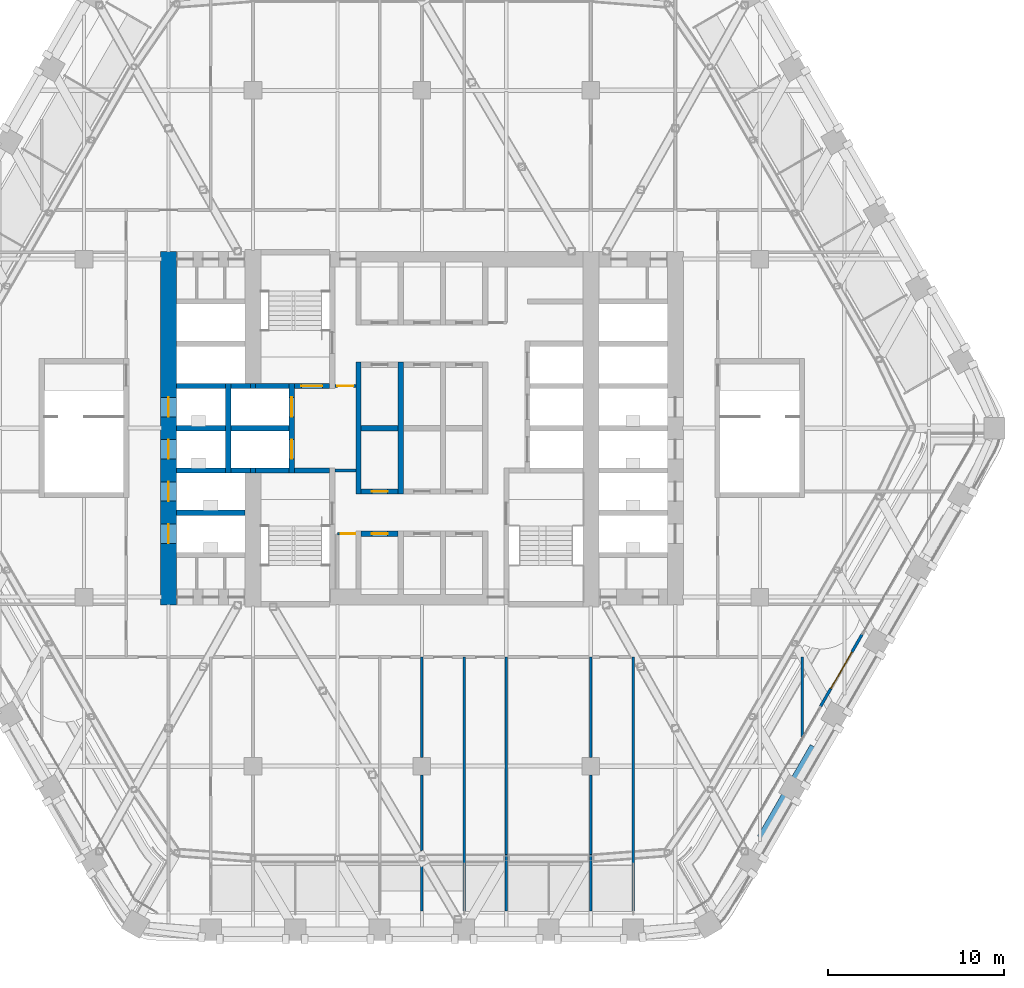
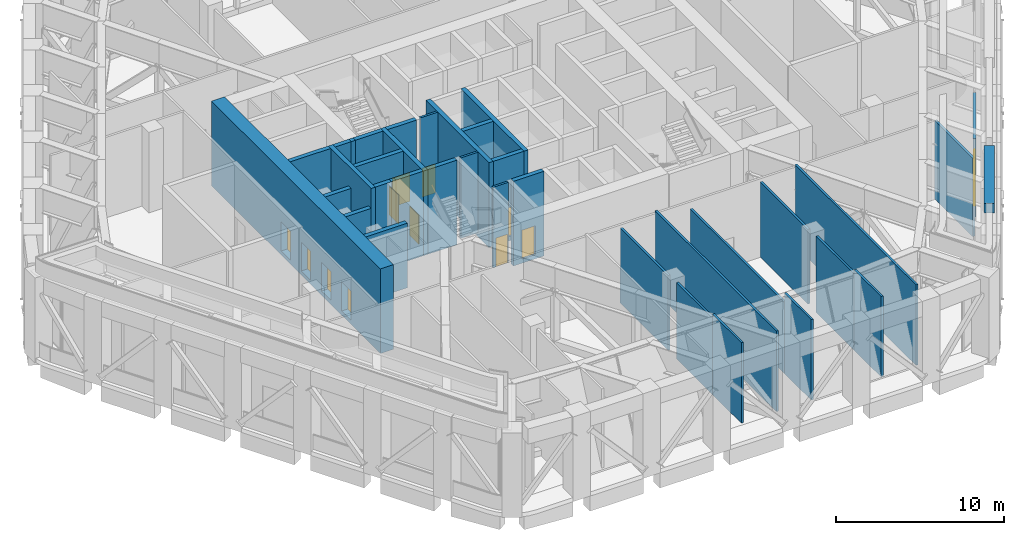
# One storey, part 16 of 27: 37 walls, 12 doors, 12 openings.
"""IFC4 building model written with IfcOpenShell, lengths in metres."""

from ifc_helpers import new_model, si_unit, direction, frame, frame_2d, origin, place, context, subcontext, project, spatial, rectangle, extrude, material, layer, layer_set, type_object, element, fill, save


model = new_model("IFC4")

# Units and contexts
model_context = context("Model", 3, precision=1e-05, world=origin(), true_north=direction((0.0, 1.0)))
body_context = subcontext(model_context, "Body", "Model", "MODEL_VIEW")
ifc_project = project(units=[si_unit("LENGTHUNIT", "METRE"), si_unit("AREAUNIT", "SQUARE_METRE"), si_unit("VOLUMEUNIT", "CUBIC_METRE"), si_unit("PLANEANGLEUNIT", "RADIAN"), si_unit("MASSUNIT", "GRAM", prefix="KILO")], contexts=[model_context])

# Site, building, storey
site_placement = place(None, origin())
site = spatial("IfcSite", under=ifc_project, at=site_placement, CompositionType="ELEMENT")
building_placement = place(site_placement, origin())
building = spatial("IfcBuilding", under=site, at=building_placement, Name="Kolab Exchange Tower", CompositionType="ELEMENT")
storey_placement = place(building_placement, frame((0.0, 0.0, 127.39990234375)))
storey = spatial("IfcBuildingStorey", under=building, at=storey_placement, Name="L25", CompositionType="ELEMENT", Elevation=127.39990234375)

# Wall, openings, doors
ifc_material_1 = material(Name="Concrete C70/85", Category="concrete")
ifc_layer_1 = layer(ifc_material_1, 0.89990234375)
ifc_layer_set_1 = layer_set([ifc_layer_1], Name="Concrete C70/85")
wall_type_1 = type_object("IfcWallType", Name="CORE WALL 900 C70/85", PredefinedType="SHEAR", material=ifc_layer_set_1)
wall_1_placement = place(storey_placement, frame((-14.39990234375, -10.050048828125, -0.2998046875), z_axis=(0.0, 0.0, 1.0), x_axis=(0.0, 1.0, 0.0)))
wall_1 = element("IfcWall", 1, at=wall_1_placement, inside=storey, type_object=wall_type_1, Name="wall/L25/core/057", PredefinedType="SHEAR", context=body_context, shape_type="SweptSolid", body=[
    extrude(rectangle(XDim=20.10009765625, YDim=0.89990234375, at=frame_2d((10.050048828125, 0.0))), origin(), (0.0, 0.0, 1.0), 6.14990234375),
])
opening_1_placement = place(wall_1_placement, frame((3.5, 0.0, 0.300048828125)))
opening_1 = element("IfcOpeningElement", 2, at=opening_1_placement, cuts=wall_1, Name="Opening LD1-089", PredefinedType="OPENING", context=body_context, shape_type="SweptSolid", body=[
    extrude(rectangle(XDim=1.10009765625, YDim=2.10009765625, at=frame_2d((0.550048828125, 1.050048828125))), frame((0.0, 0.4599609375, 0.0), z_axis=(0.0, -1.0, 0.0), x_axis=(1.0, 0.0, 0.0)), (0.0, 0.0, 1.0), 0.919921875),
])
opening_2_placement = place(wall_1_placement, frame((5.89990234375, 0.0, 0.300048828125)))
opening_2 = element("IfcOpeningElement", 3, at=opening_2_placement, cuts=wall_1, Name="Opening LD1-090", PredefinedType="OPENING", context=body_context, shape_type="SweptSolid", body=[
    extrude(rectangle(XDim=1.10009765625, YDim=2.10009765625, at=frame_2d((0.550048828125, 1.050048828125))), frame((0.0, 0.4599609375, 0.0), z_axis=(0.0, -1.0, 0.0), x_axis=(1.0, 0.0, 0.0)), (0.0, 0.0, 1.0), 0.919921875),
])
opening_3_placement = place(wall_1_placement, frame((8.300048828125, 0.0, 0.300048828125)))
opening_3 = element("IfcOpeningElement", 4, at=opening_3_placement, cuts=wall_1, Name="Opening LD1-091", PredefinedType="OPENING", context=body_context, shape_type="SweptSolid", body=[
    extrude(rectangle(XDim=1.10009765625, YDim=2.10009765625, at=frame_2d((0.550048828125, 1.050048828125))), frame((0.0, 0.4599609375, 0.0), z_axis=(0.0, -1.0, 0.0), x_axis=(1.0, 0.0, 0.0)), (0.0, 0.0, 1.0), 0.919921875),
])
opening_4_placement = place(wall_1_placement, frame((10.699951171875, 0.0, 0.300048828125)))
opening_4 = element("IfcOpeningElement", 5, at=opening_4_placement, cuts=wall_1, Name="Opening LD1-092", PredefinedType="OPENING", context=body_context, shape_type="SweptSolid", body=[
    extrude(rectangle(XDim=1.10009765625, YDim=2.10009765625, at=frame_2d((0.550048828125, 1.050048828125))), frame((0.0, 0.4599609375, 0.0), z_axis=(0.0, -1.0, 0.0), x_axis=(1.0, 0.0, 0.0)), (0.0, 0.0, 1.0), 0.919921875),
])
ifc_material_2 = material(Name="Stainless steel 316", Category="steel")
door_type_1 = type_object("IfcDoorType", Name="LANDING DOOR 1100 PASSENGER", OperationType="DOUBLE_DOOR_SLIDING", PredefinedType="DOOR", material=ifc_material_2)
door_1_placement = place(opening_1_placement, origin())
door_1 = element("IfcDoor", 6, at=door_1_placement, inside=storey, type_object=door_type_1, Name="Landing door LR5", OperationType="DOUBLE_DOOR_SLIDING", OverallHeight=2.10009765625, OverallWidth=1.10009765625, PredefinedType="DOOR", context=body_context, shape_type="SweptSolid", body=[
    extrude(rectangle(XDim=1.10009765625, YDim=2.10009765625, at=frame_2d((0.550048828125, 1.050048828125))), frame((0.0, 0.02490234375, 0.0), z_axis=(0.0, -1.0, 0.0), x_axis=(1.0, 0.0, 0.0)), (0.0, 0.0, 1.0), 0.050048828125),
])
fill(opening_1, door_1)
door_2_placement = place(opening_2_placement, origin())
door_2 = element("IfcDoor", 7, at=door_2_placement, inside=storey, type_object=door_type_1, Name="Landing door LR6", OperationType="DOUBLE_DOOR_SLIDING", OverallHeight=2.10009765625, OverallWidth=1.10009765625, PredefinedType="DOOR", context=body_context, shape_type="SweptSolid", body=[
    extrude(rectangle(XDim=1.10009765625, YDim=2.10009765625, at=frame_2d((0.550048828125, 1.050048828125))), frame((0.0, 0.02490234375, 0.0), z_axis=(0.0, -1.0, 0.0), x_axis=(1.0, 0.0, 0.0)), (0.0, 0.0, 1.0), 0.050048828125),
])
fill(opening_2, door_2)
door_3_placement = place(opening_3_placement, origin())
door_3 = element("IfcDoor", 8, at=door_3_placement, inside=storey, type_object=door_type_1, Name="Landing door LR7", OperationType="DOUBLE_DOOR_SLIDING", OverallHeight=2.10009765625, OverallWidth=1.10009765625, PredefinedType="DOOR", context=body_context, shape_type="SweptSolid", body=[
    extrude(rectangle(XDim=1.10009765625, YDim=2.10009765625, at=frame_2d((0.550048828125, 1.050048828125))), frame((0.0, 0.02490234375, 0.0), z_axis=(0.0, -1.0, 0.0), x_axis=(1.0, 0.0, 0.0)), (0.0, 0.0, 1.0), 0.050048828125),
])
fill(opening_3, door_3)
door_4_placement = place(opening_4_placement, origin())
door_4 = element("IfcDoor", 9, at=door_4_placement, inside=storey, type_object=door_type_1, Name="Landing door LR8", OperationType="DOUBLE_DOOR_SLIDING", OverallHeight=2.10009765625, OverallWidth=1.10009765625, PredefinedType="DOOR", context=body_context, shape_type="SweptSolid", body=[
    extrude(rectangle(XDim=1.10009765625, YDim=2.10009765625, at=frame_2d((0.550048828125, 1.050048828125))), frame((0.0, 0.02490234375, 0.0), z_axis=(0.0, -1.0, 0.0), x_axis=(1.0, 0.0, 0.0)), (0.0, 0.0, 1.0), 0.050048828125),
])
fill(opening_4, door_4)

# Wall, opening, door
ifc_material_3 = material(Name="Aluminium EN AW-6063 T6", Category="aluminium")
ifc_layer_2 = layer(ifc_material_3, 0.159912109375)
ifc_layer_set_2 = layer_set([ifc_layer_2], Name="Aluminium EN AW-6063 T6")
wall_type_2 = type_object("IfcWallType", Name="DOOR SURROUND WALL 160 ALUMINIUM FRAMED", PredefinedType="PARTITIONING", material=ifc_layer_set_2)
wall_2_placement = place(storey_placement, frame((25.0166015625, -11.706787109375, 0.0), z_axis=(0.0, 0.0, 1.0), x_axis=(-0.499978080042, -0.866038058908, 0.0)))
wall_2 = element("IfcWall", 10, at=wall_2_placement, inside=storey, type_object=wall_type_2, Name="Door surround wall", PredefinedType="PARTITIONING", context=body_context, shape_type="SweptSolid", body=[
    extrude(rectangle(XDim=4.739990234375, YDim=0.159912109375, at=frame_2d((2.3701171875, 0.0))), origin(), (0.0, 0.0, 1.0), 5.7001953125),
])
opening_5_placement = place(wall_2_placement, frame((1.169921875, 0.0, 0.0)))
opening_5 = element("IfcOpeningElement", 11, at=opening_5_placement, cuts=wall_2, Name="Opening GD1-053", PredefinedType="OPENING", context=body_context, shape_type="SweptSolid", body=[
    extrude(rectangle(XDim=2.39990234375, YDim=2.39990234375, at=frame_2d((1.199951171875, 1.199951171875))), frame((0.0, 0.08984375, 0.0), z_axis=(0.0, -1.0, 0.0), x_axis=(1.0, 0.0, 0.0)), (0.0, 0.0, 1.0), 0.179931640625),
])
door_type_2 = type_object("IfcDoorType", Name="LOGGIA SLIDING GLASS DOOR 2400 X 2400", OperationType="DOUBLE_DOOR_SINGLE_SWING", PredefinedType="DOOR", material=ifc_material_3)
door_5_placement = place(opening_5_placement, origin())
door_5 = element("IfcDoor", 12, at=door_5_placement, inside=storey, type_object=door_type_2, Name="Loggia door", OperationType="DOUBLE_DOOR_SLIDING", OverallHeight=2.39990234375, OverallWidth=2.39990234375, PredefinedType="DOOR", context=body_context, shape_type="SweptSolid", body=[
    extrude(rectangle(XDim=2.39990234375, YDim=2.39990234375, at=frame_2d((1.199951171875, 1.199951171875))), frame((0.0, 0.02490234375, 0.0), z_axis=(0.0, -1.0, 0.0), x_axis=(1.0, 0.0, 0.0)), (0.0, 0.0, 1.0), 0.050048828125),
])
fill(opening_5, door_5)

ifc_material_4 = material(Name="Concrete C50/60", Category="concrete")
ifc_layer_3 = layer(ifc_material_4, 0.300048828125)
ifc_layer_set_3 = layer_set([ifc_layer_3], Name="Concrete C50/60")
wall_type_3 = type_object("IfcWallType", Name="LIFT SHAFT WALL 300 C50/60", PredefinedType="STANDARD", material=ifc_layer_set_3)
wall_3_placement = place(storey_placement, frame((-3.449951171875, -6.0, -0.2998046875), z_axis=(0.0, 0.0, 1.0), x_axis=(1.0, 0.0, 0.0)))
wall_3 = element("IfcWall", 13, at=wall_3_placement, inside=storey, type_object=wall_type_3, Name="wall/L25/core/007", PredefinedType="STANDARD", context=body_context, shape_type="SweptSolid", body=[
    extrude(rectangle(XDim=2.099853515625, YDim=0.300048828125, at=frame_2d((1.0498046875, 0.0))), origin(), (0.0, 0.0, 1.0), 6.14990234375),
])
opening_6_placement = place(wall_3_placement, frame((0.60009765625, 0.0, 0.300048828125)))
opening_6 = element("IfcOpeningElement", 14, at=opening_6_placement, cuts=wall_3, Name="Opening D6-272", PredefinedType="OPENING", context=body_context, shape_type="SweptSolid", body=[
    extrude(rectangle(XDim=0.89990234375, YDim=2.10009765625, at=frame_2d((0.449951171875, 1.050048828125))), frame((0.0, 0.16015625, 0.0), z_axis=(0.0, -1.0, 0.0), x_axis=(1.0, 0.0, 0.0)), (0.0, 0.0, 1.0), 0.320068359375),
])
ifc_material_5 = material(Name="Steel S235", Category="steel")
door_type_3 = type_object("IfcDoorType", Name="CORE DOOR 900 EI 120", OperationType="SINGLE_SWING_LEFT", PredefinedType="DOOR", material=ifc_material_5)
door_6_placement = place(opening_6_placement, frame((0.89990234375, 0.0, 0.0), z_axis=(0.0, 0.0, 1.0), x_axis=(-1.0, 0.0, 0.0)))
door_6 = element("IfcDoor", 15, at=door_6_placement, inside=storey, type_object=door_type_3, Name="Service room door", OperationType="SINGLE_SWING_LEFT", OverallHeight=2.10009765625, OverallWidth=0.89990234375, PredefinedType="DOOR", context=body_context, shape_type="SweptSolid", body=[
    extrude(rectangle(XDim=0.89990234375, YDim=2.10009765625, at=frame_2d((0.449951171875, 1.050048828125))), frame((0.0, 0.02490234375, 0.0), z_axis=(0.0, -1.0, 0.0), x_axis=(1.0, 0.0, 0.0)), (0.0, 0.0, 1.0), 0.050048828125),
])
fill(opening_6, door_6)

# Wall
wall_4_placement = place(storey_placement, frame((-13.949951171875, -4.800048828125, -0.2998046875), z_axis=(0.0, 0.0, 1.0), x_axis=(1.0, 0.0, 0.0)))
element("IfcWall", 16, at=wall_4_placement, inside=storey, type_object=wall_type_3, Name="wall/L25/core/010", PredefinedType="STANDARD", context=body_context, shape_type="SweptSolid", body=[
    extrude(rectangle(XDim=3.89990234375, YDim=0.300048828125, at=frame_2d((1.949951171875, 0.0))), origin(), (0.0, 0.0, 1.0), 4.699951171875),
])

# Wall, opening, door
wall_5_placement = place(storey_placement, frame((-3.449951171875, -3.60009765625, -0.2998046875), z_axis=(0.0, 0.0, 1.0), x_axis=(1.0, 0.0, 0.0)))
wall_5 = element("IfcWall", 17, at=wall_5_placement, inside=storey, type_object=wall_type_3, Name="wall/L25/core/014", PredefinedType="STANDARD", context=body_context, shape_type="SweptSolid", body=[
    extrude(rectangle(XDim=2.099853515625, YDim=0.300048828125, at=frame_2d((1.0498046875, 0.0))), origin(), (0.0, 0.0, 1.0), 6.14990234375),
])
opening_7_placement = place(wall_5_placement, frame((0.60009765625, 0.0, 0.300048828125)))
opening_7 = element("IfcOpeningElement", 18, at=opening_7_placement, cuts=wall_5, Name="Opening D6-269", PredefinedType="OPENING", context=body_context, shape_type="SweptSolid", body=[
    extrude(rectangle(XDim=0.89990234375, YDim=2.10009765625, at=frame_2d((0.449951171875, 1.050048828125))), frame((0.0, 0.16015625, 0.0), z_axis=(0.0, -1.0, 0.0), x_axis=(1.0, 0.0, 0.0)), (0.0, 0.0, 1.0), 0.320068359375),
])
door_7_placement = place(opening_7_placement, origin())
door_7 = element("IfcDoor", 19, at=door_7_placement, inside=storey, type_object=door_type_3, Name="Service room door", OperationType="SINGLE_SWING_LEFT", OverallHeight=2.10009765625, OverallWidth=0.89990234375, PredefinedType="DOOR", context=body_context, shape_type="SweptSolid", body=[
    extrude(rectangle(XDim=0.89990234375, YDim=2.10009765625, at=frame_2d((0.449951171875, 1.050048828125))), frame((0.0, 0.02490234375, 0.0), z_axis=(0.0, -1.0, 0.0), x_axis=(1.0, 0.0, 0.0)), (0.0, 0.0, 1.0), 0.050048828125),
])
fill(opening_7, door_7)

# Walls
wall_6_placement = place(storey_placement, frame((-13.949951171875, -2.39990234375, -0.2998046875), z_axis=(0.0, 0.0, 1.0), x_axis=(1.0, 0.0, 0.0)))
element("IfcWall", 20, at=wall_6_placement, inside=storey, type_object=wall_type_3, Name="wall/L25/core/017", PredefinedType="STANDARD", context=body_context, shape_type="SweptSolid", body=[
    extrude(rectangle(XDim=2.800048828125, YDim=0.300048828125, at=frame_2d((1.39990234375, 0.0))), origin(), (0.0, 0.0, 1.0), 4.699951171875),
])
wall_7_placement = place(storey_placement, frame((-10.85009765625, -2.39990234375, -0.2998046875), z_axis=(0.0, 0.0, 1.0), x_axis=(1.0, 0.0, 0.0)))
element("IfcWall", 21, at=wall_7_placement, inside=storey, type_object=wall_type_3, Name="wall/L25/core/018", PredefinedType="STANDARD", context=body_context, shape_type="SweptSolid", body=[
    extrude(rectangle(XDim=1.10009765625, YDim=0.300048828125, at=frame_2d((0.550048828125, 0.0))), origin(), (0.0, 0.0, 1.0), 6.14990234375),
])
wall_8_placement = place(storey_placement, frame((-13.949951171875, 0.0, -0.2998046875), z_axis=(0.0, 0.0, 1.0), x_axis=(1.0, 0.0, 0.0)))
element("IfcWall", 22, at=wall_8_placement, inside=storey, type_object=wall_type_3, Name="wall/L25/core/024", PredefinedType="STANDARD", context=body_context, shape_type="SweptSolid", body=[
    extrude(rectangle(XDim=2.800048828125, YDim=0.300048828125, at=frame_2d((1.39990234375, 0.0))), origin(), (0.0, 0.0, 1.0), 4.699951171875),
])
wall_9_placement = place(storey_placement, frame((-10.85009765625, 0.0, -0.2998046875), z_axis=(0.0, 0.0, 1.0), x_axis=(1.0, 0.0, 0.0)))
element("IfcWall", 23, at=wall_9_placement, inside=storey, type_object=wall_type_3, Name="wall/L25/core/025", PredefinedType="STANDARD", context=body_context, shape_type="SweptSolid", body=[
    extrude(rectangle(XDim=3.300048828125, YDim=0.300048828125, at=frame_2d((1.64990234375, 0.0))), origin(), (0.0, 0.0, 1.0), 6.14990234375),
])
wall_10_placement = place(storey_placement, frame((-3.449951171875, 0.0, -0.2998046875), z_axis=(0.0, 0.0, 1.0), x_axis=(1.0, 0.0, 0.0)))
element("IfcWall", 24, at=wall_10_placement, inside=storey, type_object=wall_type_3, Name="wall/L25/core/026", PredefinedType="STANDARD", context=body_context, shape_type="SweptSolid", body=[
    extrude(rectangle(XDim=2.099853515625, YDim=0.300048828125, at=frame_2d((1.0498046875, 0.0))), origin(), (0.0, 0.0, 1.0), 6.14990234375),
])
wall_11_placement = place(storey_placement, frame((-13.949951171875, 2.39990234375, -0.2998046875), z_axis=(0.0, 0.0, 1.0), x_axis=(1.0, 0.0, 0.0)))
element("IfcWall", 25, at=wall_11_placement, inside=storey, type_object=wall_type_3, Name="wall/L25/core/031", PredefinedType="STANDARD", context=body_context, shape_type="SweptSolid", body=[
    extrude(rectangle(XDim=2.800048828125, YDim=0.300048828125, at=frame_2d((1.39990234375, 0.0))), origin(), (0.0, 0.0, 1.0), 6.14990234375),
])
wall_12_placement = place(storey_placement, frame((-10.85009765625, 2.39990234375, -0.2998046875), z_axis=(0.0, 0.0, 1.0), x_axis=(1.0, 0.0, 0.0)))
element("IfcWall", 26, at=wall_12_placement, inside=storey, type_object=wall_type_3, Name="wall/L25/core/032", PredefinedType="STANDARD", context=body_context, shape_type="SweptSolid", body=[
    extrude(rectangle(XDim=1.10009765625, YDim=0.300048828125, at=frame_2d((0.550048828125, 0.0))), origin(), (0.0, 0.0, 1.0), 6.14990234375),
])
wall_13_placement = place(storey_placement, frame((-11.0, -2.550048828125, -0.2998046875), z_axis=(0.0, 0.0, 1.0), x_axis=(0.0, 1.0, 0.0)))
element("IfcWall", 27, at=wall_13_placement, inside=storey, type_object=wall_type_3, Name="wall/L25/core/058", PredefinedType="STANDARD", context=body_context, shape_type="SweptSolid", body=[
    extrude(rectangle(XDim=5.10009765625, YDim=0.300048828125, at=frame_2d((2.550048828125, 0.0))), origin(), (0.0, 0.0, 1.0), 6.14990234375),
])

# Wall, openings, doors
wall_14_placement = place(storey_placement, frame((-7.39990234375, -2.550048828125, -0.2998046875), z_axis=(0.0, 0.0, 1.0), x_axis=(0.0, 1.0, 0.0)))
wall_14 = element("IfcWall", 28, at=wall_14_placement, inside=storey, type_object=wall_type_3, Name="wall/L25/core/063", PredefinedType="STANDARD", context=body_context, shape_type="SweptSolid", body=[
    extrude(rectangle(XDim=5.10009765625, YDim=0.300048828125, at=frame_2d((2.550048828125, 0.0))), origin(), (0.0, 0.0, 1.0), 6.14990234375),
])
opening_8_placement = place(wall_14_placement, frame((0.800048828125, 0.0, 0.300048828125)))
opening_8 = element("IfcOpeningElement", 29, at=opening_8_placement, cuts=wall_14, Name="Opening LD2-021", PredefinedType="OPENING", context=body_context, shape_type="SweptSolid", body=[
    extrude(rectangle(XDim=1.10009765625, YDim=2.10009765625, at=frame_2d((0.550048828125, 1.050048828125))), frame((0.0, 0.16015625, 0.0), z_axis=(0.0, -1.0, 0.0), x_axis=(1.0, 0.0, 0.0)), (0.0, 0.0, 1.0), 0.320068359375),
])
opening_9_placement = place(wall_14_placement, frame((3.199951171875, 0.0, 0.300048828125)))
opening_9 = element("IfcOpeningElement", 30, at=opening_9_placement, cuts=wall_14, Name="Opening LD2-022", PredefinedType="OPENING", context=body_context, shape_type="SweptSolid", body=[
    extrude(rectangle(XDim=1.10009765625, YDim=2.10009765625, at=frame_2d((0.550048828125, 1.050048828125))), frame((0.0, 0.16015625, 0.0), z_axis=(0.0, -1.0, 0.0), x_axis=(1.0, 0.0, 0.0)), (0.0, 0.0, 1.0), 0.320068359375),
])
door_type_4 = type_object("IfcDoorType", Name="LANDING DOOR 1100 FIREFIGHTING", OperationType="DOUBLE_DOOR_SLIDING", PredefinedType="DOOR", material=ifc_material_2)
door_8_placement = place(opening_8_placement, origin())
door_8 = element("IfcDoor", 31, at=door_8_placement, inside=storey, type_object=door_type_4, Name="Landing door FF1", OperationType="DOUBLE_DOOR_SLIDING", OverallHeight=2.10009765625, OverallWidth=1.10009765625, PredefinedType="DOOR", context=body_context, shape_type="SweptSolid", body=[
    extrude(rectangle(XDim=1.10009765625, YDim=2.10009765625, at=frame_2d((0.550048828125, 1.050048828125))), frame((0.0, 0.02490234375, 0.0), z_axis=(0.0, -1.0, 0.0), x_axis=(1.0, 0.0, 0.0)), (0.0, 0.0, 1.0), 0.050048828125),
])
fill(opening_8, door_8)
door_9_placement = place(opening_9_placement, origin())
door_9 = element("IfcDoor", 32, at=door_9_placement, inside=storey, type_object=door_type_4, Name="Landing door FF2", OperationType="DOUBLE_DOOR_SLIDING", OverallHeight=2.10009765625, OverallWidth=1.10009765625, PredefinedType="DOOR", context=body_context, shape_type="SweptSolid", body=[
    extrude(rectangle(XDim=1.10009765625, YDim=2.10009765625, at=frame_2d((0.550048828125, 1.050048828125))), frame((0.0, 0.02490234375, 0.0), z_axis=(0.0, -1.0, 0.0), x_axis=(1.0, 0.0, 0.0)), (0.0, 0.0, 1.0), 0.050048828125),
])
fill(opening_9, door_9)

# Walls
for number, where, z_axis, x_axis, name in (
    (33, (-3.60009765625, -3.75, -0.2998046875), (0.0, 0.0, 1.0), (0.0, 1.0, 0.0), "wall/L25/core/067"),
    (34, (-1.199951171875, -3.75, -0.2998046875), (0.0, 0.0, 1.0), (0.0, 1.0, 0.0), "wall/L25/core/070"),
):
    element("IfcWall", number, at=place(storey_placement, frame(where, z_axis=z_axis, x_axis=x_axis)), inside=storey, type_object=wall_type_3, Name=name, PredefinedType="STANDARD", context=body_context, shape_type="SweptSolid", body=[
        extrude(rectangle(XDim=7.5, YDim=0.300048828125, at=frame_2d((3.75, 0.0))), origin(), (0.0, 0.0, 1.0), 6.14990234375),
    ])
ifc_material_6 = material(Name="Gypsum board", Category="gypsum")
ifc_layer_4 = layer(ifc_material_6, 0.14990234375)
ifc_layer_set_4 = layer_set([ifc_layer_4], Name="Gypsum board")
wall_type_4 = type_object("IfcWallType", Name="PARTITION 150 FIRE-RATED", PredefinedType="PARTITIONING", material=ifc_layer_set_4)
wall_15_placement = place(storey_placement, frame((21.60009765625, -17.544677734375, 0.0), z_axis=(0.0, 0.0, 1.0), x_axis=(0.0, 1.0, 0.0)))
element("IfcWall", 35, at=wall_15_placement, inside=storey, type_object=wall_type_4, Name="Partition 000", PredefinedType="PARTITIONING", context=body_context, shape_type="SweptSolid", body=[
    extrude(rectangle(XDim=4.544677734375, YDim=0.14990234375, at=frame_2d((2.2724609375, 0.0))), origin(), (0.0, 0.0, 1.0), 5.7001953125),
])
wall_16_placement = place(storey_placement, frame((12.0, -27.428466796875, 0.0), z_axis=(0.0, 0.0, 1.0), x_axis=(0.0, 1.0, 0.0)))
element("IfcWall", 36, at=wall_16_placement, inside=storey, type_object=wall_type_4, Name="Partition 006", PredefinedType="PARTITIONING", context=body_context, shape_type="SweptSolid", body=[
    extrude(rectangle(XDim=14.428466796875, YDim=0.14990234375, at=frame_2d((7.21435546875, 0.0))), origin(), (0.0, 0.0, 1.0), 5.85009765625),
])
wall_17_placement = place(storey_placement, frame((9.60009765625, -24.230712890625, 0.0), z_axis=(0.0, 0.0, 1.0), x_axis=(0.0, 1.0, 0.0)))
element("IfcWall", 37, at=wall_17_placement, inside=storey, type_object=wall_type_4, Name="Partition 008", PredefinedType="PARTITIONING", context=body_context, shape_type="SweptSolid", body=[
    extrude(rectangle(XDim=4.53076171875, YDim=0.14990234375, at=frame_2d((2.265380859375, 0.0))), origin(), (0.0, 0.0, 1.0), 5.5400390625),
])
wall_18_placement = place(storey_placement, frame((9.60009765625, -27.428466796875, 0.0), z_axis=(0.0, 0.0, 1.0), x_axis=(0.0, 1.0, 0.0)))
element("IfcWall", 38, at=wall_18_placement, inside=storey, type_object=wall_type_4, Name="Partition 008", PredefinedType="PARTITIONING", context=body_context, shape_type="SweptSolid", body=[
    extrude(rectangle(XDim=3.19775390625, YDim=0.14990234375, at=frame_2d((1.598876953125, 0.0))), origin(), (0.0, 0.0, 1.0), 5.85009765625),
])
wall_19_placement = place(storey_placement, frame((9.60009765625, -18.699951171875, 0.0), z_axis=(0.0, 0.0, 1.0), x_axis=(0.0, 1.0, 0.0)))
element("IfcWall", 39, at=wall_19_placement, inside=storey, type_object=wall_type_4, Name="Partition 009", PredefinedType="PARTITIONING", context=body_context, shape_type="SweptSolid", body=[
    extrude(rectangle(XDim=5.699951171875, YDim=0.14990234375, at=frame_2d((2.85009765625, 0.0))), origin(), (0.0, 0.0, 1.0), 5.443115234375),
])
wall_20_placement = place(storey_placement, frame((4.800048828125, -24.2314453125, 0.0), z_axis=(0.0, 0.0, 1.0), x_axis=(0.0, 1.0, 0.0)))
element("IfcWall", 40, at=wall_20_placement, inside=storey, type_object=wall_type_4, Name="Partition 012", PredefinedType="PARTITIONING", context=body_context, shape_type="SweptSolid", body=[
    extrude(rectangle(XDim=11.2314453125, YDim=0.14990234375, at=frame_2d((5.61572265625, 0.0))), origin(), (0.0, 0.0, 1.0), 5.166015625),
])
wall_21_placement = place(storey_placement, frame((4.800048828125, -27.428466796875, 0.0), z_axis=(0.0, 0.0, 1.0), x_axis=(0.0, 1.0, 0.0)))
element("IfcWall", 41, at=wall_21_placement, inside=storey, type_object=wall_type_4, Name="Partition 012", PredefinedType="PARTITIONING", context=body_context, shape_type="SweptSolid", body=[
    extrude(rectangle(XDim=3.197021484375, YDim=0.14990234375, at=frame_2d((1.5986328125, 0.0))), origin(), (0.0, 0.0, 1.0), 5.85009765625),
])
wall_22_placement = place(storey_placement, frame((2.39990234375, -27.428466796875, 0.0), z_axis=(0.0, 0.0, 1.0), x_axis=(0.0, 1.0, 0.0)))
element("IfcWall", 42, at=wall_22_placement, inside=storey, type_object=wall_type_4, Name="Partition 014", PredefinedType="PARTITIONING", context=body_context, shape_type="SweptSolid", body=[
    extrude(rectangle(XDim=14.428466796875, YDim=0.14990234375, at=frame_2d((7.21435546875, 0.0))), origin(), (0.0, 0.0, 1.0), 5.85009765625),
])
wall_23_placement = place(storey_placement, frame((0.0, -23.990478515625, 0.0), z_axis=(0.0, 0.0, 1.0), x_axis=(0.0, 1.0, 0.0)))
element("IfcWall", 43, at=wall_23_placement, inside=storey, type_object=wall_type_4, Name="Partition 016", PredefinedType="PARTITIONING", context=body_context, shape_type="SweptSolid", body=[
    extrude(rectangle(XDim=4.29052734375, YDim=0.14990234375, at=frame_2d((2.145263671875, 0.0))), origin(), (0.0, 0.0, 1.0), 5.5400390625),
])
wall_24_placement = place(storey_placement, frame((0.0, -27.428466796875, 0.0), z_axis=(0.0, 0.0, 1.0), x_axis=(0.0, 1.0, 0.0)))
element("IfcWall", 44, at=wall_24_placement, inside=storey, type_object=wall_type_4, Name="Partition 016", PredefinedType="PARTITIONING", context=body_context, shape_type="SweptSolid", body=[
    extrude(rectangle(XDim=3.43798828125, YDim=0.14990234375, at=frame_2d((1.718994140625, 0.0))), origin(), (0.0, 0.0, 1.0), 5.85009765625),
])
wall_25_placement = place(storey_placement, frame((0.0, -18.699951171875, 0.0), z_axis=(0.0, 0.0, 1.0), x_axis=(0.0, 1.0, 0.0)))
element("IfcWall", 45, at=wall_25_placement, inside=storey, type_object=wall_type_4, Name="Partition 017", PredefinedType="PARTITIONING", context=body_context, shape_type="SweptSolid", body=[
    extrude(rectangle(XDim=5.699951171875, YDim=0.14990234375, at=frame_2d((2.85009765625, 0.0))), origin(), (0.0, 0.0, 1.0), 5.443115234375),
])

# Wall, opening, door
wall_26_placement = place(storey_placement, frame((-4.800048828125, -6.0, 0.0), z_axis=(0.0, 0.0, 1.0), x_axis=(1.0, 0.0, 0.0)))
wall_26 = element("IfcWall", 46, at=wall_26_placement, inside=storey, type_object=wall_type_4, Name="Partition 043", PredefinedType="PARTITIONING", context=body_context, shape_type="SweptSolid", body=[
    extrude(rectangle(XDim=1.050048828125, YDim=0.14990234375, at=frame_2d((0.52490234375, 0.0))), origin(), (0.0, 0.0, 1.0), 5.85009765625),
])
opening_10_placement = place(wall_26_placement, frame((0.199951171875, 0.0, 0.0)))
opening_10 = element("IfcOpeningElement", 47, at=opening_10_placement, cuts=wall_26, Name="Opening D7-027", PredefinedType="OPENING", context=body_context, shape_type="SweptSolid", body=[
    extrude(rectangle(XDim=0.800048828125, YDim=2.10009765625, at=frame_2d((0.39990234375, 1.050048828125))), frame((0.0, 0.0849609375, 0.0), z_axis=(0.0, -1.0, 0.0), x_axis=(1.0, 0.0, 0.0)), (0.0, 0.0, 1.0), 0.169921875),
])
door_type_5 = type_object("IfcDoorType", Name="FLUSH DOOR 800 FD60", OperationType="SINGLE_SWING_LEFT", PredefinedType="DOOR", material=ifc_material_5)
door_10_placement = place(opening_10_placement, frame((0.800048828125, 0.0, 0.0), z_axis=(0.0, 0.0, 1.0), x_axis=(-1.0, 0.0, 0.0)))
door_10 = element("IfcDoor", 48, at=door_10_placement, inside=storey, type_object=door_type_5, Name="Door L25-044", OperationType="SINGLE_SWING_RIGHT", OverallHeight=2.10009765625, OverallWidth=0.800048828125, PredefinedType="DOOR", context=body_context, shape_type="SweptSolid", body=[
    extrude(rectangle(XDim=0.800048828125, YDim=2.10009765625, at=frame_2d((0.39990234375, 1.050048828125))), frame((0.0, 0.02490234375, 0.0), z_axis=(0.0, -1.0, 0.0), x_axis=(1.0, 0.0, 0.0)), (0.0, 0.0, 1.0), 0.050048828125),
])
fill(opening_10, door_10)

wall_27_placement = place(storey_placement, frame((-4.949951171875, 2.39990234375, 0.0), z_axis=(0.0, 0.0, 1.0), x_axis=(1.0, 0.0, 0.0)))
wall_27 = element("IfcWall", 49, at=wall_27_placement, inside=storey, type_object=wall_type_4, Name="Fire partition", PredefinedType="PARTITIONING", context=body_context, shape_type="SweptSolid", body=[
    extrude(rectangle(XDim=1.199951171875, YDim=0.14990234375, at=frame_2d((0.60009765625, 0.0))), origin(), (0.0, 0.0, 1.0), 5.85009765625),
])
opening_11_placement = place(wall_27_placement, frame((0.14990234375, 0.0, 0.0)))
opening_11 = element("IfcOpeningElement", 50, at=opening_11_placement, cuts=wall_27, Name="Opening D6-275", PredefinedType="OPENING", context=body_context, shape_type="SweptSolid", body=[
    extrude(rectangle(XDim=0.89990234375, YDim=2.10009765625, at=frame_2d((0.449951171875, 1.050048828125))), frame((0.0, 0.0849609375, 0.0), z_axis=(0.0, -1.0, 0.0), x_axis=(1.0, 0.0, 0.0)), (0.0, 0.0, 1.0), 0.169921875),
])
door_11_placement = place(opening_11_placement, frame((0.89990234375, 0.0, 0.0), z_axis=(0.0, 0.0, 1.0), x_axis=(-1.0, 0.0, 0.0)))
door_11 = element("IfcDoor", 51, at=door_11_placement, inside=storey, type_object=door_type_3, Name="Firefighting lobby door", OperationType="SINGLE_SWING_RIGHT", OverallHeight=2.10009765625, OverallWidth=0.89990234375, PredefinedType="DOOR", context=body_context, shape_type="SweptSolid", body=[
    extrude(rectangle(XDim=0.89990234375, YDim=2.10009765625, at=frame_2d((0.449951171875, 1.050048828125))), frame((0.0, 0.02490234375, 0.0), z_axis=(0.0, -1.0, 0.0), x_axis=(1.0, 0.0, 0.0)), (0.0, 0.0, 1.0), 0.050048828125),
])
fill(opening_11, door_11)

# Walls
wall_28_placement = place(storey_placement, frame((-4.949951171875, -2.39990234375, 0.0), z_axis=(0.0, 0.0, 1.0), x_axis=(1.0, 0.0, 0.0)))
element("IfcWall", 52, at=wall_28_placement, inside=storey, type_object=wall_type_4, Name="Fire partition", PredefinedType="PARTITIONING", context=body_context, shape_type="SweptSolid", body=[
    extrude(rectangle(XDim=1.199951171875, YDim=0.14990234375, at=frame_2d((0.60009765625, 0.0))), origin(), (0.0, 0.0, 1.0), 5.85009765625),
])
ifc_material_7 = material(Name="Granite facing", Category="masonry")
ifc_layer_5 = layer(ifc_material_7, 0.0400390625)
ifc_material_8 = material(Name="Concrete C40/50 precast", Category="concrete")
ifc_layer_6 = layer(ifc_material_8, 0.56005859375)
ifc_layer_set_5 = layer_set([ifc_layer_5, ifc_layer_6], Name="Concrete C40/50 precast")
wall_type_5 = type_object("IfcWallType", Name="PLANTER BOX 600 X 700 SOIL DEPTH 550", PredefinedType="USERDEFINED", material=ifc_layer_set_5)
wall_29_placement = place(storey_placement, frame((22.326904296875, -18.125732421875, 6.0), z_axis=(0.0, 0.0, 1.0), x_axis=(-0.499990139034, -0.866031096941, 0.0)))
element("IfcWall", 53, at=wall_29_placement, inside=storey, type_object=wall_type_5, Name="Planter", ObjectType="PLANTER", PredefinedType="USERDEFINED", context=body_context, shape_type="SweptSolid", body=[
    extrude(rectangle(XDim=6.0, YDim=0.60009765625, at=frame_2d((3.0, 0.0))), origin(), (0.0, 0.0, 1.0), 0.7001953125),
])
ifc_layer_7 = layer(ifc_material_4, 0.300048828125)
ifc_layer_set_6 = layer_set([ifc_layer_7], Name="Concrete C50/60")
wall_type_6 = type_object("IfcWallType", Name="STAIR ENCLOSURE WALL 300 C50/60", PredefinedType="STANDARD", material=ifc_layer_set_6)
wall_30_placement = place(storey_placement, frame((-9.449951171875, -2.39990234375, -0.2998046875), z_axis=(0.0, 0.0, 1.0), x_axis=(1.0, 0.0, 0.0)))
element("IfcWall", 54, at=wall_30_placement, inside=storey, type_object=wall_type_6, Name="wall/L25/core/019", PredefinedType="STANDARD", context=body_context, shape_type="SweptSolid", body=[
    extrude(rectangle(XDim=1.89990234375, YDim=0.300048828125, at=frame_2d((0.949951171875, 0.0))), origin(), (0.0, 0.0, 1.0), 6.14990234375),
])
wall_31_placement = place(storey_placement, frame((-7.25, -2.39990234375, -0.2998046875), z_axis=(0.0, 0.0, 1.0), x_axis=(1.0, 0.0, 0.0)))
element("IfcWall", 55, at=wall_31_placement, inside=storey, type_object=wall_type_6, Name="wall/L25/core/020", PredefinedType="STANDARD", context=body_context, shape_type="SweptSolid", body=[
    extrude(rectangle(XDim=2.0, YDim=0.300048828125, at=frame_2d((1.0, 0.0))), origin(), (0.0, 0.0, 1.0), 6.14990234375),
])
wall_32_placement = place(storey_placement, frame((-9.449951171875, 2.39990234375, -0.2998046875), z_axis=(0.0, 0.0, 1.0), x_axis=(1.0, 0.0, 0.0)))
element("IfcWall", 56, at=wall_32_placement, inside=storey, type_object=wall_type_6, Name="wall/L25/core/033", PredefinedType="STANDARD", context=body_context, shape_type="SweptSolid", body=[
    extrude(rectangle(XDim=1.89990234375, YDim=0.300048828125, at=frame_2d((0.949951171875, 0.0))), origin(), (0.0, 0.0, 1.0), 6.14990234375),
])

# Wall, opening, door
wall_33_placement = place(storey_placement, frame((-7.25, 2.39990234375, -0.2998046875), z_axis=(0.0, 0.0, 1.0), x_axis=(1.0, 0.0, 0.0)))
wall_33 = element("IfcWall", 57, at=wall_33_placement, inside=storey, type_object=wall_type_6, Name="wall/L25/core/034", PredefinedType="STANDARD", context=body_context, shape_type="SweptSolid", body=[
    extrude(rectangle(XDim=2.0, YDim=0.300048828125, at=frame_2d((1.0, 0.0))), origin(), (0.0, 0.0, 1.0), 6.14990234375),
])
opening_12_placement = place(wall_33_placement, frame((0.39990234375, 0.0, 0.300048828125)))
opening_12 = element("IfcOpeningElement", 58, at=opening_12_placement, cuts=wall_33, Name="Opening D4-055", PredefinedType="OPENING", context=body_context, shape_type="SweptSolid", body=[
    extrude(rectangle(XDim=1.199951171875, YDim=2.10009765625, at=frame_2d((0.60009765625, 1.050048828125))), frame((0.0, 0.16015625, 0.0), z_axis=(0.0, -1.0, 0.0), x_axis=(1.0, 0.0, 0.0)), (0.0, 0.0, 1.0), 0.320068359375),
])
door_type_6 = type_object("IfcDoorType", Name="STAIR DOOR 1200 EI 120", OperationType="SINGLE_SWING_LEFT", PredefinedType="DOOR", material=ifc_material_5)
door_12_placement = place(opening_12_placement, origin())
door_12 = element("IfcDoor", 59, at=door_12_placement, inside=storey, type_object=door_type_6, Name="Stair 1 door", OperationType="SINGLE_SWING_RIGHT", OverallHeight=2.10009765625, OverallWidth=1.199951171875, PredefinedType="DOOR", context=body_context, shape_type="SweptSolid", body=[
    extrude(rectangle(XDim=1.199951171875, YDim=2.10009765625, at=frame_2d((0.60009765625, 1.050048828125))), frame((0.0, 0.02490234375, 0.0), z_axis=(0.0, -1.0, 0.0), x_axis=(1.0, 0.0, 0.0)), (0.0, 0.0, 1.0), 0.050048828125),
])
fill(opening_12, door_12)

# Walls
for number, where, z_axis, x_axis, name in (
    (60, (-9.60009765625, -2.550048828125, -0.2998046875), (0.0, 0.0, 1.0), (0.0, 1.0, 0.0), "wall/L25/core/060"),
    (61, (-9.60009765625, 2.25, -0.2998046875), (0.0, 0.0, 1.0), (0.0, 1.0, 0.0), "wall/L25/core/061"),
):
    element("IfcWall", number, at=place(storey_placement, frame(where, z_axis=z_axis, x_axis=x_axis)), inside=storey, type_object=wall_type_6, Name=name, PredefinedType="STANDARD", context=body_context, shape_type="SweptSolid", body=[
        extrude(rectangle(XDim=0.300048828125, YDim=0.300048828125, at=frame_2d((0.14990234375, 0.0))), origin(), (0.0, 0.0, 1.0), 6.14990234375),
    ])

save(model, "model.ifc")
